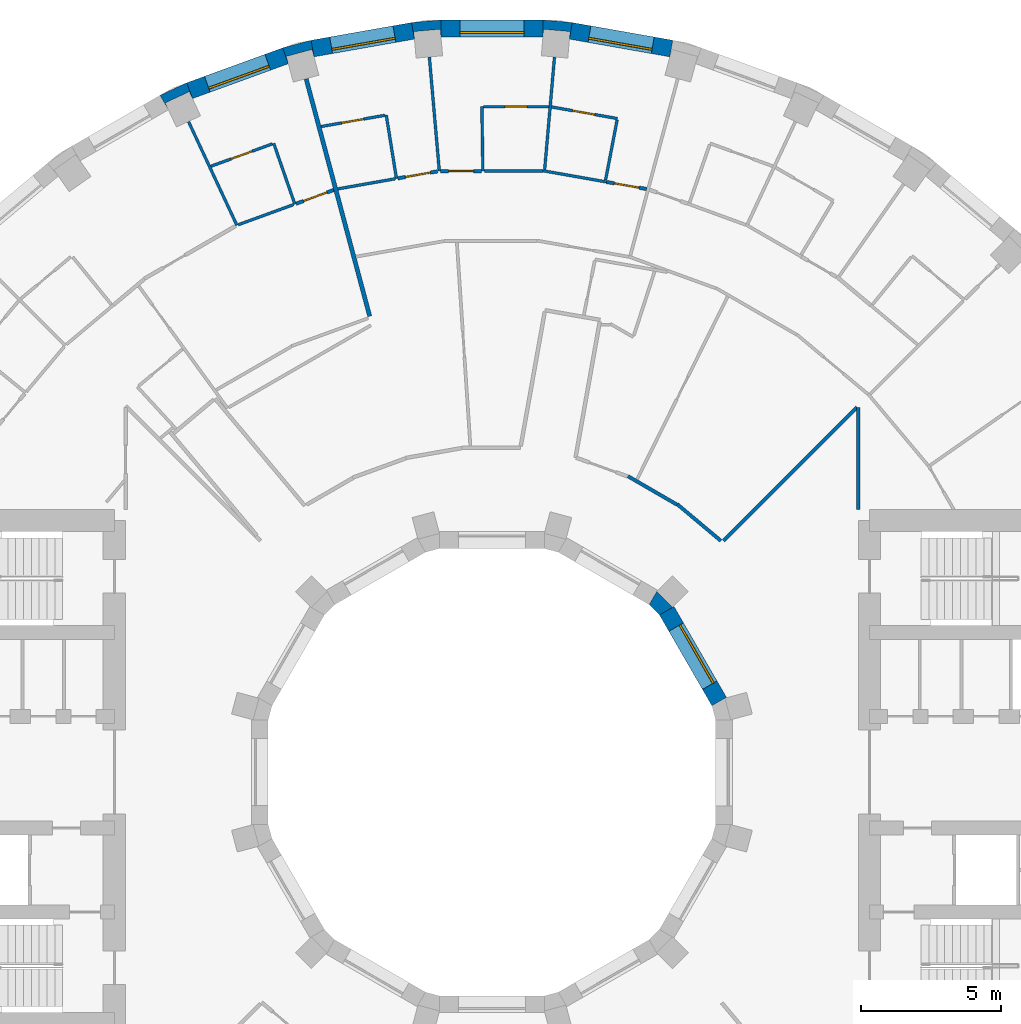
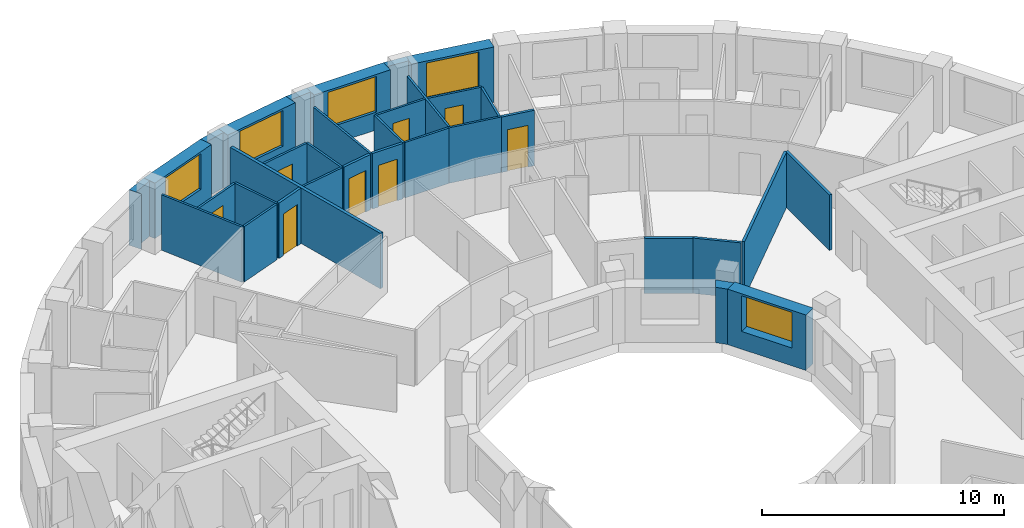
# One storey, part 13 of 16: 34 walls, 8 doors, 5 windows, 13 openings.
"""IFC4 building model written with IfcOpenShell, lengths in metres."""

from ifc_helpers import new_model, si_unit, direction, frame, frame_2d, origin, place, context, subcontext, project, spatial, polyline, rectangle, outline, extrude, material, layer, layer_set, type_object, element, fill, save


model = new_model("IFC4")

# Units and contexts
model_context = context("Model", 3, precision=1e-05, world=origin(), true_north=direction((0.0, 1.0)))
body_context = subcontext(model_context, "Body", "Model", "MODEL_VIEW")
ifc_project = project(units=[si_unit("LENGTHUNIT", "METRE"), si_unit("AREAUNIT", "SQUARE_METRE"), si_unit("VOLUMEUNIT", "CUBIC_METRE"), si_unit("PLANEANGLEUNIT", "RADIAN"), si_unit("MASSUNIT", "GRAM", prefix="KILO")], contexts=[model_context])

# Site, building, storey
site_placement = place(None, origin())
site = spatial("IfcSite", under=ifc_project, at=site_placement, CompositionType="ELEMENT")
building_placement = place(site_placement, origin())
building = spatial("IfcBuilding", under=site, at=building_placement, Name="Saqina Gate Tower", CompositionType="ELEMENT")
storey_placement = place(building_placement, frame((0.0, 0.0, 141.39990234375)))
storey = spatial("IfcBuildingStorey", under=building, at=storey_placement, Name="L40", CompositionType="ELEMENT", Elevation=141.39990234375)

# Walls
ifc_material_1 = material(Name="Brick masonry (buff)", Category="masonry")
wall_type_1 = type_object("IfcWallType", Name="BRICK PIER COPING BUFF", PredefinedType="SOLIDWALL", material=ifc_material_1)
wall_1_placement = place(storey_placement, origin())
element("IfcWall", 1, at=wall_1_placement, inside=storey, type_object=wall_type_1, Name="Pier cap L40 column 9", PredefinedType="SOLIDWALL", context=body_context, shape_type="SweptSolid", body=[
    extrude(outline(polyline([(2.87451171875, 26.805419921875), (1.823974609375, 26.897216796875), (1.823974609375, 26.29736328125), (1.847412109375, 26.565185546875), (2.793701171875, 26.482421875), (2.770263671875, 26.214599609375), (2.87451171875, 26.805419921875)])), origin(), (0.0, 0.0, 1.0), 2.800048828125),
])
wall_2_placement = place(storey_placement, origin())
element("IfcWall", 2, at=wall_2_placement, inside=storey, type_object=wall_type_1, Name="Pier cap L40 column 10", PredefinedType="SOLIDWALL", context=body_context, shape_type="SweptSolid", body=[
    extrude(outline(polyline([(-2.87451171875, 26.805419921875), (-2.770263671875, 26.214599609375), (-2.793701171875, 26.482421875), (-1.847412109375, 26.565185546875), (-1.823974609375, 26.29736328125), (-1.823974609375, 26.897216796875), (-2.87451171875, 26.805419921875)])), origin(), (0.0, 0.0, 1.0), 2.800048828125),
])
wall_3_placement = place(storey_placement, origin())
element("IfcWall", 3, at=wall_3_placement, inside=storey, type_object=wall_type_1, Name="Pier cap L40 column 11", PredefinedType="SOLIDWALL", context=body_context, shape_type="SweptSolid", body=[
    extrude(outline(polyline([(-6.466796875, 26.171875), (-7.485595703125, 25.89892578125), (-7.2802734375, 25.335205078125), (-7.349853515625, 25.5947265625), (-6.43212890625, 25.8408203125), (-6.36279296875, 25.5810546875), (-6.466796875, 26.171875)])), origin(), (0.0, 0.0, 1.0), 2.800048828125),
])
wall_4_placement = place(storey_placement, origin())
element("IfcWall", 4, at=wall_4_placement, inside=storey, type_object=wall_type_1, Name="Pier cap L40 column 12", PredefinedType="SOLIDWALL", context=body_context, shape_type="SweptSolid", body=[
    extrude(outline(polyline([(-10.913330078125, 24.6513671875), (-11.869140625, 24.205810546875), (-11.569091796875, 23.68603515625), (-11.6826171875, 23.9296875), (-10.82177734375, 24.331298828125), (-10.7080078125, 24.08740234375), (-10.913330078125, 24.6513671875)])), origin(), (0.0, 0.0, 1.0), 2.800048828125),
])

# Wall, opening, window
ifc_material_2 = material(Name="Brick masonry (buff)", Category="masonry")
ifc_layer_1 = layer(ifc_material_2, 0.60009765625)
ifc_layer_set_1 = layer_set([ifc_layer_1], Name="FW-BRICK-BUFF")
wall_type_2 = type_object("IfcWallType", Name="FW-BRICK-BUFF", PredefinedType="SOLIDWALL", material=ifc_layer_set_1)
wall_5_placement = place(storey_placement, frame((6.414794921875, 25.87646484375, 0.0), z_axis=(0.0, 0.0, 1.0), x_axis=(-0.984803764455, 0.173670796382, 0.0)))
wall_5 = element("IfcWall", 5, at=wall_5_placement, inside=storey, type_object=wall_type_2, Name="Facade wall L40 facet 8", PredefinedType="SOLIDWALL", context=body_context, shape_type="SweptSolid", body=[
    extrude(rectangle(XDim=3.64794921875, YDim=0.60009765625, at=frame_2d((1.823974609375, 0.0))), origin(), (0.0, 0.0, 1.0), 2.800048828125),
])
opening_1_placement = place(wall_5_placement, frame((0.673828125, 0.0, 0.89990234375)))
opening_1 = element("IfcOpeningElement", 6, at=opening_1_placement, cuts=wall_5, Name="Opening G12-W06", PredefinedType="OPENING", context=body_context, shape_type="SweptSolid", body=[
    extrude(rectangle(XDim=2.300048828125, YDim=1.800048828125, at=frame_2d((1.14990234375, 0.89990234375))), frame((0.0, 0.31201171875, 0.0), z_axis=(0.0, -1.0, 0.0), x_axis=(1.0, 0.0, 0.0)), (0.0, 0.0, 1.0), 0.6240234375),
])
ifc_material_3 = material(Name="Aluminium glazing", Category="aluminium")
window_type_1 = type_object("IfcWindowType", Name="WN-B", PartitioningType="SINGLE_PANEL", PredefinedType="WINDOW", material=ifc_material_3)
window_1_placement = place(opening_1_placement, origin())
window_1 = element("IfcWindow", 7, at=window_1_placement, inside=storey, type_object=window_type_1, Name="Window L40 facet 8", OverallHeight=1.800048828125, OverallWidth=2.300048828125, PartitioningType="SINGLE_PANEL", PredefinedType="WINDOW", context=body_context, shape_type="SweptSolid", body=[
    extrude(rectangle(XDim=2.300048828125, YDim=1.800048828125, at=frame_2d((1.14990234375, 0.89990234375))), frame((0.0, 0.179931640625, 0.0), z_axis=(0.0, -1.0, 0.0), x_axis=(1.0, 0.0, 0.0)), (0.0, 0.0, 1.0), 0.06005859375),
])
fill(opening_1, window_1)

wall_6_placement = place(storey_placement, frame((1.823974609375, 26.59716796875, 0.0), z_axis=(0.0, 0.0, 1.0), x_axis=(-1.0, 0.0, 0.0)))
wall_6 = element("IfcWall", 8, at=wall_6_placement, inside=storey, type_object=wall_type_2, Name="Facade wall L40 facet 9", PredefinedType="SOLIDWALL", context=body_context, shape_type="SweptSolid", body=[
    extrude(rectangle(XDim=3.64794921875, YDim=0.60009765625, at=frame_2d((1.823974609375, 0.0))), origin(), (0.0, 0.0, 1.0), 2.800048828125),
])
opening_2_placement = place(wall_6_placement, frame((0.673828125, 0.0, 0.89990234375)))
opening_2 = element("IfcOpeningElement", 9, at=opening_2_placement, cuts=wall_6, Name="Opening G12-W07", PredefinedType="OPENING", context=body_context, shape_type="SweptSolid", body=[
    extrude(rectangle(XDim=2.300048828125, YDim=1.800048828125, at=frame_2d((1.14990234375, 0.89990234375))), frame((0.0, 0.31201171875, 0.0), z_axis=(0.0, -1.0, 0.0), x_axis=(1.0, 0.0, 0.0)), (0.0, 0.0, 1.0), 0.6240234375),
])
window_2_placement = place(opening_2_placement, origin())
window_2 = element("IfcWindow", 10, at=window_2_placement, inside=storey, type_object=window_type_1, Name="Window L40 facet 9", OverallHeight=1.800048828125, OverallWidth=2.300048828125, PartitioningType="SINGLE_PANEL", PredefinedType="WINDOW", context=body_context, shape_type="SweptSolid", body=[
    extrude(rectangle(XDim=2.300048828125, YDim=1.800048828125, at=frame_2d((1.14990234375, 0.89990234375))), frame((0.0, 0.179931640625, 0.0), z_axis=(0.0, -1.0, 0.0), x_axis=(1.0, 0.0, 0.0)), (0.0, 0.0, 1.0), 0.06005859375),
])
fill(opening_2, window_2)

wall_7_placement = place(storey_placement, frame((-2.822265625, 26.510009765625, 0.0), z_axis=(0.0, 0.0, 1.0), x_axis=(-0.984803764455, -0.173670796382, 0.0)))
wall_7 = element("IfcWall", 11, at=wall_7_placement, inside=storey, type_object=wall_type_2, Name="Facade wall L40 facet 10", PredefinedType="SOLIDWALL", context=body_context, shape_type="SweptSolid", body=[
    extrude(rectangle(XDim=3.64794921875, YDim=0.60009765625, at=frame_2d((1.823974609375, 0.0))), origin(), (0.0, 0.0, 1.0), 2.800048828125),
])
opening_3_placement = place(wall_7_placement, frame((0.673828125, 0.0, 0.89990234375)))
opening_3 = element("IfcOpeningElement", 12, at=opening_3_placement, cuts=wall_7, Name="Opening G12-W08", PredefinedType="OPENING", context=body_context, shape_type="SweptSolid", body=[
    extrude(rectangle(XDim=2.300048828125, YDim=1.800048828125, at=frame_2d((1.14990234375, 0.89990234375))), frame((0.0, 0.31201171875, 0.0), z_axis=(0.0, -1.0, 0.0), x_axis=(1.0, 0.0, 0.0)), (0.0, 0.0, 1.0), 0.6240234375),
])
window_3_placement = place(opening_3_placement, origin())
window_3 = element("IfcWindow", 13, at=window_3_placement, inside=storey, type_object=window_type_1, Name="Window L40 facet 10", OverallHeight=1.800048828125, OverallWidth=2.300048828125, PartitioningType="SINGLE_PANEL", PredefinedType="WINDOW", context=body_context, shape_type="SweptSolid", body=[
    extrude(rectangle(XDim=2.300048828125, YDim=1.800048828125, at=frame_2d((1.14990234375, 0.89990234375))), frame((0.0, 0.179931640625, 0.0), z_axis=(0.0, -1.0, 0.0), x_axis=(1.0, 0.0, 0.0)), (0.0, 0.0, 1.0), 0.06005859375),
])
fill(opening_3, window_3)

wall_8_placement = place(storey_placement, frame((-7.3828125, 25.616943359375, 0.0), z_axis=(0.0, 0.0, 1.0), x_axis=(-0.939703505393, -0.341990236633, 0.0)))
wall_8 = element("IfcWall", 14, at=wall_8_placement, inside=storey, type_object=wall_type_2, Name="Facade wall L40 facet 11", PredefinedType="SOLIDWALL", context=body_context, shape_type="SweptSolid", body=[
    extrude(rectangle(XDim=3.64794921875, YDim=0.60009765625, at=frame_2d((1.823974609375, 0.0))), origin(), (0.0, 0.0, 1.0), 2.800048828125),
])
opening_4_placement = place(wall_8_placement, frame((0.673828125, 0.0, 0.89990234375)))
opening_4 = element("IfcOpeningElement", 15, at=opening_4_placement, cuts=wall_8, Name="Opening G12-W09", PredefinedType="OPENING", context=body_context, shape_type="SweptSolid", body=[
    extrude(rectangle(XDim=2.300048828125, YDim=1.800048828125, at=frame_2d((1.14990234375, 0.89990234375))), frame((0.0, 0.31201171875, 0.0), z_axis=(0.0, -1.0, 0.0), x_axis=(1.0, 0.0, 0.0)), (0.0, 0.0, 1.0), 0.6240234375),
])
window_4_placement = place(opening_4_placement, origin())
window_4 = element("IfcWindow", 16, at=window_4_placement, inside=storey, type_object=window_type_1, Name="Window L40 facet 11", OverallHeight=1.800048828125, OverallWidth=2.300048828125, PartitioningType="SINGLE_PANEL", PredefinedType="WINDOW", context=body_context, shape_type="SweptSolid", body=[
    extrude(rectangle(XDim=2.300048828125, YDim=1.800048828125, at=frame_2d((1.14990234375, 0.89990234375))), frame((0.0, 0.179931640625, 0.0), z_axis=(0.0, -1.0, 0.0), x_axis=(1.0, 0.0, 0.0)), (0.0, 0.0, 1.0), 0.06005859375),
])
fill(opening_4, window_4)

ifc_material_4 = material(Name="Glazed ceramic tile", Category="ceramic")
ifc_layer_2 = layer(ifc_material_4, 0.60009765625)
ifc_layer_set_2 = layer_set([ifc_layer_2], Name="IW-TILE")
wall_type_3 = type_object("IfcWallType", Name="IW-TILE", PredefinedType="SOLIDWALL", material=ifc_layer_set_2)
wall_9_placement = place(storey_placement, frame((8.124755859375, 2.52734375, 0.0), z_axis=(0.0, 0.0, 1.0), x_axis=(-0.499964958637, 0.86604563398, 0.0)))
wall_9 = element("IfcWall", 17, at=wall_9_placement, inside=storey, type_object=wall_type_3, Name="Well wall L40 facet 1", PredefinedType="SOLIDWALL", context=body_context, shape_type="SweptSolid", body=[
    extrude(rectangle(XDim=3.747314453125, YDim=0.60009765625, at=frame_2d((1.87353515625, 0.0))), origin(), (0.0, 0.0, 1.0), 2.800048828125),
])
opening_5_placement = place(wall_9_placement, frame((0.673583984375, 0.0, 0.89990234375)))
opening_5 = element("IfcOpeningElement", 18, at=opening_5_placement, cuts=wall_9, Name="Opening G12-W23", PredefinedType="OPENING", context=body_context, shape_type="SweptSolid", body=[
    extrude(rectangle(XDim=2.39990234375, YDim=1.800048828125, at=frame_2d((1.199951171875, 0.89990234375))), frame((0.0, 0.31201171875, 0.0), z_axis=(0.0, -1.0, 0.0), x_axis=(1.0, 0.0, 0.0)), (0.0, 0.0, 1.0), 0.6240234375),
])
ifc_material_5 = material(Name="Aluminium glazing", Category="aluminium")
window_type_2 = type_object("IfcWindowType", Name="WN-W", PartitioningType="SINGLE_PANEL", PredefinedType="WINDOW", material=ifc_material_5)
window_5_placement = place(opening_5_placement, origin())
window_5 = element("IfcWindow", 19, at=window_5_placement, inside=storey, type_object=window_type_2, Name="Well window L40 facet 1", OverallHeight=1.800048828125, OverallWidth=2.39990234375, PartitioningType="SINGLE_PANEL", PredefinedType="WINDOW", context=body_context, shape_type="SweptSolid", body=[
    extrude(rectangle(XDim=2.39990234375, YDim=1.800048828125, at=frame_2d((1.199951171875, 0.89990234375))), frame((0.0, -0.119873046875, 0.0), z_axis=(0.0, -1.0, 0.0), x_axis=(1.0, 0.0, 0.0)), (0.0, 0.0, 1.0), 0.06005859375),
])
fill(opening_5, window_5)

# Walls
ifc_material_6 = material(Name="Gypsum board on steel studs, 100 mm", Category="steel")
ifc_layer_3 = layer(ifc_material_6, 0.10009765625)
ifc_layer_set_3 = layer_set([ifc_layer_3], Name="PARTITION 100")
wall_type_4 = type_object("IfcWallType", Name="PARTITION 100", PredefinedType="PARTITIONING", material=ifc_layer_set_3)
wall_10_placement = place(storey_placement, frame((-0.35888671875, 23.797119140625, 0.0), z_axis=(0.0, 0.0, 1.0), x_axis=(0.015177107463, -0.999884821071, 0.0)))
element("IfcWall", 20, at=wall_10_placement, inside=storey, type_object=wall_type_4, Name="PARTITION PW3-01", PredefinedType="PARTITIONING", context=body_context, shape_type="SweptSolid", body=[
    extrude(rectangle(XDim=2.30029296875, YDim=0.10009765625, at=frame_2d((1.150146484375, 0.0))), origin(), (0.0, 0.0, 1.0), 2.800048828125),
])
wall_11_placement = place(storey_placement, frame((-2.237060546875, 25.5673828125, 0.0), z_axis=(0.0, 0.0, 1.0), x_axis=(0.087119511186, -0.996197867279, 0.0)))
element("IfcWall", 21, at=wall_11_placement, inside=storey, type_object=wall_type_4, Name="PARTITION PW3-03", PredefinedType="PARTITIONING", context=body_context, shape_type="SweptSolid", body=[
    extrude(rectangle(XDim=4.0859375, YDim=0.10009765625, at=frame_2d((2.04296875, 0.0))), origin(), (0.0, 0.0, 1.0), 2.800048828125),
])
for number, where, z_axis, x_axis, name in (
    (22, (-3.779052734375, 23.498046875, 0.0), (0.0, 0.0, 1.0), (0.15868179071, -0.987329777378, 0.0), "PARTITION PW3-04"),
    (23, (-7.802001953125, 22.485107421875, 0.0), (0.0, 0.0, 1.0), (0.327763034971, -0.944759965762, 0.0), "PARTITION PW3-05"),
):
    element("IfcWall", number, at=place(storey_placement, frame(where, z_axis=z_axis, x_axis=x_axis)), inside=storey, type_object=wall_type_4, Name=name, PredefinedType="PARTITIONING", context=body_context, shape_type="SweptSolid", body=[
        extrude(rectangle(XDim=2.300048828125, YDim=0.10009765625, at=frame_2d((1.14990234375, 0.0))), origin(), (0.0, 0.0, 1.0), 2.800048828125),
    ])
wall_12_placement = place(storey_placement, frame((-10.84716796875, 23.260009765625, 0.0), z_axis=(0.0, 0.0, 1.0), x_axis=(0.422784035137, -0.906230467173, 0.0)))
element("IfcWall", 24, at=wall_12_placement, inside=storey, type_object=wall_type_4, Name="PARTITION PW3-08", PredefinedType="PARTITIONING", context=body_context, shape_type="SweptSolid", body=[
    extrude(rectangle(XDim=4.0849609375, YDim=0.10009765625, at=frame_2d((2.04248046875, 0.0))), origin(), (0.0, 0.0, 1.0), 2.800048828125),
])
wall_13_placement = place(storey_placement, frame((1.8310546875, 21.505859375, 0.0), z_axis=(0.0, 0.0, 1.0), x_axis=(0.984783558818, -0.173785333909, 0.0)))
element("IfcWall", 25, at=wall_13_placement, inside=storey, type_object=wall_type_4, Name="PARTITION PW3-58", PredefinedType="PARTITIONING", context=body_context, shape_type="SweptSolid", body=[
    extrude(rectangle(XDim=2.305419921875, YDim=0.10009765625, at=frame_2d((1.15283203125, 0.0))), origin(), (0.0, 0.0, 1.0), 2.800048828125),
])

# Wall, opening, door
wall_14_placement = place(storey_placement, frame((2.13134765625, 23.788330078125, 0.0), z_axis=(0.0, 0.0, 1.0), x_axis=(0.984802055472, -0.173680486922, 0.0)))
wall_14 = element("IfcWall", 26, at=wall_14_placement, inside=storey, type_object=wall_type_4, Name="PARTITION PW3-59", PredefinedType="PARTITIONING", context=body_context, shape_type="SweptSolid", body=[
    extrude(rectangle(XDim=2.39111328125, YDim=0.10009765625, at=frame_2d((1.195556640625, 0.0))), origin(), (0.0, 0.0, 1.0), 2.800048828125),
])
opening_6_placement = place(wall_14_placement, frame((0.7705078125, 0.0, 0.0)))
opening_6 = element("IfcOpeningElement", 27, at=opening_6_placement, cuts=wall_14, Name="Opening G12-D15", PredefinedType="OPENING", context=body_context, shape_type="SweptSolid", body=[
    extrude(rectangle(XDim=0.800048828125, YDim=2.10009765625, at=frame_2d((0.39990234375, 1.050048828125))), frame((0.0, 0.06201171875, 0.0), z_axis=(0.0, -1.0, 0.0), x_axis=(1.0, 0.0, 0.0)), (0.0, 0.0, 1.0), 0.1240234375),
])
ifc_material_7 = material(Name="Timber door leaf, 800 mm", Category="wood")
door_type_1 = type_object("IfcDoorType", Name="DOOR 800 TIMBER", OperationType="SINGLE_SWING_LEFT", PredefinedType="DOOR", material=ifc_material_7)
door_1_placement = place(opening_6_placement, origin())
door_1 = element("IfcDoor", 28, at=door_1_placement, inside=storey, type_object=door_type_1, Name="DOOR G12-D15", OperationType="SINGLE_SWING_LEFT", OverallHeight=2.10009765625, OverallWidth=0.800048828125, PredefinedType="DOOR", context=body_context, shape_type="SweptSolid", body=[
    extrude(rectangle(XDim=0.800048828125, YDim=2.10009765625, at=frame_2d((0.39990234375, 1.050048828125))), frame((0.0, 0.02490234375, 0.0), z_axis=(0.0, -1.0, 0.0), x_axis=(1.0, 0.0, 0.0)), (0.0, 0.0, 1.0), 0.050048828125),
])
fill(opening_6, door_1)

# Wall
wall_15_placement = place(storey_placement, frame((-0.27392578125, 21.4970703125, 0.0), z_axis=(0.0, 0.0, 1.0), x_axis=(1.0, 0.0, 0.0)))
element("IfcWall", 29, at=wall_15_placement, inside=storey, type_object=wall_type_4, Name="PARTITION PW3-62", PredefinedType="PARTITIONING", context=body_context, shape_type="SweptSolid", body=[
    extrude(rectangle(XDim=2.10498046875, YDim=0.10009765625, at=frame_2d((1.052490234375, 0.0))), origin(), (0.0, 0.0, 1.0), 2.800048828125),
])

# Wall, opening, door
wall_16_placement = place(storey_placement, frame((-0.30908203125, 23.797119140625, 0.0), z_axis=(0.0, 0.0, 1.0), x_axis=(1.0, 0.0, 0.0)))
wall_16 = element("IfcWall", 30, at=wall_16_placement, inside=storey, type_object=wall_type_4, Name="PARTITION PW3-63", PredefinedType="PARTITIONING", context=body_context, shape_type="SweptSolid", body=[
    extrude(rectangle(XDim=2.341064453125, YDim=0.10009765625, at=frame_2d((1.17041015625, 0.0))), origin(), (0.0, 0.0, 1.0), 2.800048828125),
])
opening_7_placement = place(wall_16_placement, frame((0.7705078125, 0.0, 0.0)))
opening_7 = element("IfcOpeningElement", 31, at=opening_7_placement, cuts=wall_16, Name="Opening G12-D16", PredefinedType="OPENING", context=body_context, shape_type="SweptSolid", body=[
    extrude(rectangle(XDim=0.800048828125, YDim=2.10009765625, at=frame_2d((0.39990234375, 1.050048828125))), frame((0.0, 0.06201171875, 0.0), z_axis=(0.0, -1.0, 0.0), x_axis=(1.0, 0.0, 0.0)), (0.0, 0.0, 1.0), 0.1240234375),
])
door_2_placement = place(opening_7_placement, origin())
door_2 = element("IfcDoor", 32, at=door_2_placement, inside=storey, type_object=door_type_1, Name="DOOR G12-D16", OperationType="SINGLE_SWING_LEFT", OverallHeight=2.10009765625, OverallWidth=0.800048828125, PredefinedType="DOOR", context=body_context, shape_type="SweptSolid", body=[
    extrude(rectangle(XDim=0.800048828125, YDim=2.10009765625, at=frame_2d((0.39990234375, 1.050048828125))), frame((0.0, 0.02490234375, 0.0), z_axis=(0.0, -1.0, 0.0), x_axis=(1.0, 0.0, 0.0)), (0.0, 0.0, 1.0), 0.050048828125),
])
fill(opening_7, door_2)

# Wall
wall_17_placement = place(storey_placement, frame((-5.51123046875, 20.85693359375, 0.0), z_axis=(0.0, 0.0, 1.0), x_axis=(0.984775352835, 0.173831828066, 0.0)))
element("IfcWall", 33, at=wall_17_placement, inside=storey, type_object=wall_type_4, Name="PARTITION PW3-65", PredefinedType="PARTITIONING", context=body_context, shape_type="SweptSolid", body=[
    extrude(rectangle(XDim=2.096923828125, YDim=0.10009765625, at=frame_2d((1.04833984375, 0.0))), origin(), (0.0, 0.0, 1.0), 2.800048828125),
])

# Wall, opening, door
wall_18_placement = place(storey_placement, frame((-6.109130859375, 23.0869140625, 0.0), z_axis=(0.0, 0.0, 1.0), x_axis=(0.984797350308, 0.173707164006, 0.0)))
wall_18 = element("IfcWall", 34, at=wall_18_placement, inside=storey, type_object=wall_type_4, Name="PARTITION PW3-66", PredefinedType="PARTITIONING", context=body_context, shape_type="SweptSolid", body=[
    extrude(rectangle(XDim=2.316162109375, YDim=0.10009765625, at=frame_2d((1.158203125, 0.0))), origin(), (0.0, 0.0, 1.0), 2.800048828125),
])
opening_8_placement = place(wall_18_placement, frame((0.74560546875, 0.0, 0.0)))
opening_8 = element("IfcOpeningElement", 35, at=opening_8_placement, cuts=wall_18, Name="Opening G12-D20", PredefinedType="OPENING", context=body_context, shape_type="SweptSolid", body=[
    extrude(rectangle(XDim=0.800048828125, YDim=2.10009765625, at=frame_2d((0.39990234375, 1.050048828125))), frame((0.0, 0.06201171875, 0.0), z_axis=(0.0, -1.0, 0.0), x_axis=(1.0, 0.0, 0.0)), (0.0, 0.0, 1.0), 0.1240234375),
])
door_3_placement = place(opening_8_placement, origin())
door_3 = element("IfcDoor", 36, at=door_3_placement, inside=storey, type_object=door_type_1, Name="DOOR G12-D20", OperationType="SINGLE_SWING_LEFT", OverallHeight=2.10009765625, OverallWidth=0.800048828125, PredefinedType="DOOR", context=body_context, shape_type="SweptSolid", body=[
    extrude(rectangle(XDim=0.800048828125, YDim=2.10009765625, at=frame_2d((0.39990234375, 1.050048828125))), frame((0.0, 0.02490234375, 0.0), z_axis=(0.0, -1.0, 0.0), x_axis=(1.0, 0.0, 0.0)), (0.0, 0.0, 1.0), 0.050048828125),
])
fill(opening_8, door_3)

# Wall
wall_19_placement = place(storey_placement, frame((-9.072998046875, 19.5751953125, 0.0), z_axis=(0.0, 0.0, 1.0), x_axis=(0.939725675468, 0.341929312674, 0.0)))
element("IfcWall", 37, at=wall_19_placement, inside=storey, type_object=wall_type_4, Name="PARTITION PW3-70", PredefinedType="PARTITIONING", context=body_context, shape_type="SweptSolid", body=[
    extrude(rectangle(XDim=2.10498046875, YDim=0.10009765625, at=frame_2d((1.052490234375, 0.0))), origin(), (0.0, 0.0, 1.0), 2.800048828125),
])

# Wall, opening, door
wall_20_placement = place(storey_placement, frame((-10.049072265625, 21.6669921875, 0.0), z_axis=(0.0, 0.0, 1.0), x_axis=(0.939662448837, 0.342103028699, 0.0)))
wall_20 = element("IfcWall", 38, at=wall_20_placement, inside=storey, type_object=wall_type_4, Name="PARTITION PW3-71", PredefinedType="PARTITIONING", context=body_context, shape_type="SweptSolid", body=[
    extrude(rectangle(XDim=2.341552734375, YDim=0.10009765625, at=frame_2d((1.1708984375, 0.0))), origin(), (0.0, 0.0, 1.0), 2.800048828125),
])
opening_9_placement = place(wall_20_placement, frame((0.7705078125, 0.0, 0.0)))
opening_9 = element("IfcOpeningElement", 39, at=opening_9_placement, cuts=wall_20, Name="Opening G12-D22", PredefinedType="OPENING", context=body_context, shape_type="SweptSolid", body=[
    extrude(rectangle(XDim=0.800048828125, YDim=2.10009765625, at=frame_2d((0.39990234375, 1.050048828125))), frame((0.0, 0.06201171875, 0.0), z_axis=(0.0, -1.0, 0.0), x_axis=(1.0, 0.0, 0.0)), (0.0, 0.0, 1.0), 0.1240234375),
])
door_4_placement = place(opening_9_placement, origin())
door_4 = element("IfcDoor", 40, at=door_4_placement, inside=storey, type_object=door_type_1, Name="DOOR G12-D22", OperationType="SINGLE_SWING_LEFT", OverallHeight=2.10009765625, OverallWidth=0.800048828125, PredefinedType="DOOR", context=body_context, shape_type="SweptSolid", body=[
    extrude(rectangle(XDim=0.800048828125, YDim=2.10009765625, at=frame_2d((0.39990234375, 1.050048828125))), frame((0.0, 0.02490234375, 0.0), z_axis=(0.0, -1.0, 0.0), x_axis=(1.0, 0.0, 0.0)), (0.0, 0.0, 1.0), 0.050048828125),
])
fill(opening_9, door_4)

# Walls
wall_21_placement = place(storey_placement, frame((4.063720703125, 21.17529296875, 0.0), z_axis=(0.0, 0.0, 1.0), x_axis=(0.188685986474, 0.982037473067, 0.0)))
element("IfcWall", 41, at=wall_21_placement, inside=storey, type_object=wall_type_4, Name="PARTITION PW3-116", PredefinedType="PARTITIONING", context=body_context, shape_type="SweptSolid", body=[
    extrude(rectangle(XDim=2.18798828125, YDim=0.10009765625, at=frame_2d((1.093994140625, 0.0))), origin(), (0.0, 0.0, 1.0), 2.800048828125),
])
wall_22_placement = place(storey_placement, frame((1.88525390625, 21.546875, 0.0), z_axis=(0.0, 0.0, 1.0), x_axis=(0.087109918438, 0.996198706137, 0.0)))
element("IfcWall", 42, at=wall_22_placement, inside=storey, type_object=wall_type_4, Name="PARTITION PW3-117", PredefinedType="PARTITIONING", context=body_context, shape_type="SweptSolid", body=[
    extrude(rectangle(XDim=4.035888671875, YDim=0.10009765625, at=frame_2d((2.01806640625, 0.0))), origin(), (0.0, 0.0, 1.0), 2.800048828125),
])
ifc_material_8 = material(Name="Gypsum board on steel studs, 125 mm, fire rated", Category="steel")
ifc_layer_4 = layer(ifc_material_8, 0.125)
ifc_layer_set_4 = layer_set([ifc_layer_4], Name="PARTITION EI 30 125")
wall_type_5 = type_object("IfcWallType", Name="PARTITION EI 30 125", PredefinedType="PARTITIONING", material=ifc_layer_set_4)
wall_23_placement = place(storey_placement, frame((6.63037109375, 9.578857421875, 0.0), z_axis=(0.0, 0.0, 1.0), x_axis=(0.766246910896, -0.642546240781, 0.0)))
element("IfcWall", 43, at=wall_23_placement, inside=storey, type_object=wall_type_5, Name="PARTITION PW1-13", PredefinedType="PARTITIONING", context=body_context, shape_type="SweptSolid", body=[
    extrude(rectangle(XDim=2.03076171875, YDim=0.125, at=frame_2d((1.015380859375, 0.0))), origin(), (0.0, 0.0, 1.0), 2.800048828125),
])
wall_24_placement = place(storey_placement, frame((4.865234375, 10.582763671875, 0.0), z_axis=(0.0, 0.0, 1.0), x_axis=(0.865305530051, -0.50124479016, 0.0)))
element("IfcWall", 44, at=wall_24_placement, inside=storey, type_object=wall_type_5, Name="PARTITION PW1-16", PredefinedType="PARTITIONING", context=body_context, shape_type="SweptSolid", body=[
    extrude(rectangle(XDim=2.030517578125, YDim=0.125, at=frame_2d((1.01513671875, 0.0))), origin(), (0.0, 0.0, 1.0), 2.800048828125),
])

# Wall, opening, door
wall_25_placement = place(storey_placement, frame((4.101318359375, 21.105224609375, 0.0), z_axis=(0.0, 0.0, 1.0), x_axis=(0.984862774054, -0.173335848233, 0.0)))
wall_25 = element("IfcWall", 45, at=wall_25_placement, inside=storey, type_object=wall_type_5, Name="PARTITION PW1-27", PredefinedType="PARTITIONING", context=body_context, shape_type="SweptSolid", body=[
    extrude(rectangle(XDim=1.456298828125, YDim=0.125, at=frame_2d((0.72802734375, 0.0))), origin(), (0.0, 0.0, 1.0), 2.800048828125),
])
opening_10_placement = place(wall_25_placement, frame((0.2783203125, 0.0, 0.0)))
opening_10 = element("IfcOpeningElement", 46, at=opening_10_placement, cuts=wall_25, Name="Opening G12-D12", PredefinedType="OPENING", context=body_context, shape_type="SweptSolid", body=[
    extrude(rectangle(XDim=0.89990234375, YDim=2.10009765625, at=frame_2d((0.449951171875, 1.050048828125))), frame((0.0, 0.074462890625, 0.0), z_axis=(0.0, -1.0, 0.0), x_axis=(1.0, 0.0, 0.0)), (0.0, 0.0, 1.0), 0.14892578125),
])
ifc_material_9 = material(Name="Fire door leaf EI 30, 900 mm")
door_type_2 = type_object("IfcDoorType", Name="DOOR 900 EI 30", OperationType="SINGLE_SWING_LEFT", PredefinedType="DOOR", material=ifc_material_9)
door_5_placement = place(opening_10_placement, frame((0.89990234375, 0.0, 0.0), z_axis=(0.0, 0.0, 1.0), x_axis=(-1.0, 0.0, 0.0)))
door_5 = element("IfcDoor", 47, at=door_5_placement, inside=storey, type_object=door_type_2, Name="DOOR G12-D12", OperationType="SINGLE_SWING_LEFT", OverallHeight=2.10009765625, OverallWidth=0.89990234375, PredefinedType="DOOR", context=body_context, shape_type="SweptSolid", body=[
    extrude(rectangle(XDim=0.89990234375, YDim=2.10009765625, at=frame_2d((0.449951171875, 1.050048828125))), frame((0.0, 0.02490234375, 0.0), z_axis=(0.0, -1.0, 0.0), x_axis=(1.0, 0.0, 0.0)), (0.0, 0.0, 1.0), 0.050048828125),
])
fill(opening_10, door_5)

wall_26_placement = place(storey_placement, frame((-1.8310546875, 21.4970703125, 0.0), z_axis=(0.0, 0.0, 1.0), x_axis=(1.0, 0.0, 0.0)))
wall_26 = element("IfcWall", 48, at=wall_26_placement, inside=storey, type_object=wall_type_5, Name="PARTITION PW1-30", PredefinedType="PARTITIONING", context=body_context, shape_type="SweptSolid", body=[
    extrude(rectangle(XDim=1.45703125, YDim=0.125, at=frame_2d((0.728515625, 0.0))), origin(), (0.0, 0.0, 1.0), 2.800048828125),
])
opening_11_placement = place(wall_26_placement, frame((0.278564453125, 0.0, 0.0)))
opening_11 = element("IfcOpeningElement", 49, at=opening_11_placement, cuts=wall_26, Name="Opening G12-D17", PredefinedType="OPENING", context=body_context, shape_type="SweptSolid", body=[
    extrude(rectangle(XDim=0.89990234375, YDim=2.10009765625, at=frame_2d((0.449951171875, 1.050048828125))), frame((0.0, 0.074462890625, 0.0), z_axis=(0.0, -1.0, 0.0), x_axis=(1.0, 0.0, 0.0)), (0.0, 0.0, 1.0), 0.14892578125),
])
door_6_placement = place(opening_11_placement, frame((0.89990234375, 0.0, 0.0), z_axis=(0.0, 0.0, 1.0), x_axis=(-1.0, 0.0, 0.0)))
door_6 = element("IfcDoor", 50, at=door_6_placement, inside=storey, type_object=door_type_2, Name="DOOR G12-D17", OperationType="SINGLE_SWING_RIGHT", OverallHeight=2.10009765625, OverallWidth=0.89990234375, PredefinedType="DOOR", context=body_context, shape_type="SweptSolid", body=[
    extrude(rectangle(XDim=0.89990234375, YDim=2.10009765625, at=frame_2d((0.449951171875, 1.050048828125))), frame((0.0, 0.02490234375, 0.0), z_axis=(0.0, -1.0, 0.0), x_axis=(1.0, 0.0, 0.0)), (0.0, 0.0, 1.0), 0.050048828125),
])
fill(opening_11, door_6)

wall_27_placement = place(storey_placement, frame((-3.36474609375, 21.235595703125, 0.0), z_axis=(0.0, 0.0, 1.0), x_axis=(0.984839675328, 0.173467039809, 0.0)))
wall_27 = element("IfcWall", 51, at=wall_27_placement, inside=storey, type_object=wall_type_5, Name="PARTITION PW1-33", PredefinedType="PARTITIONING", context=body_context, shape_type="SweptSolid", body=[
    extrude(rectangle(XDim=1.444091796875, YDim=0.125, at=frame_2d((0.72216796875, 0.0))), origin(), (0.0, 0.0, 1.0), 2.800048828125),
])
opening_12_placement = place(wall_27_placement, frame((0.2783203125, 0.0, 0.0)))
opening_12 = element("IfcOpeningElement", 52, at=opening_12_placement, cuts=wall_27, Name="Opening G12-D19", PredefinedType="OPENING", context=body_context, shape_type="SweptSolid", body=[
    extrude(rectangle(XDim=0.89990234375, YDim=2.10009765625, at=frame_2d((0.449951171875, 1.050048828125))), frame((0.0, 0.074462890625, 0.0), z_axis=(0.0, -1.0, 0.0), x_axis=(1.0, 0.0, 0.0)), (0.0, 0.0, 1.0), 0.14892578125),
])
door_7_placement = place(opening_12_placement, frame((0.89990234375, 0.0, 0.0), z_axis=(0.0, 0.0, 1.0), x_axis=(-1.0, 0.0, 0.0)))
door_7 = element("IfcDoor", 53, at=door_7_placement, inside=storey, type_object=door_type_2, Name="DOOR G12-D19", OperationType="SINGLE_SWING_LEFT", OverallHeight=2.10009765625, OverallWidth=0.89990234375, PredefinedType="DOOR", context=body_context, shape_type="SweptSolid", body=[
    extrude(rectangle(XDim=0.89990234375, YDim=2.10009765625, at=frame_2d((0.449951171875, 1.050048828125))), frame((0.0, 0.02490234375, 0.0), z_axis=(0.0, -1.0, 0.0), x_axis=(1.0, 0.0, 0.0)), (0.0, 0.0, 1.0), 0.050048828125),
])
fill(opening_12, door_7)

wall_28_placement = place(storey_placement, frame((-7.0009765625, 20.3291015625, 0.0), z_axis=(0.0, 0.0, 1.0), x_axis=(0.939788441711, 0.341756762663, 0.0)))
wall_28 = element("IfcWall", 54, at=wall_28_placement, inside=storey, type_object=wall_type_5, Name="PARTITION PW1-37", PredefinedType="PARTITIONING", context=body_context, shape_type="SweptSolid", body=[
    extrude(rectangle(XDim=1.430908203125, YDim=0.125, at=frame_2d((0.71533203125, 0.0))), origin(), (0.0, 0.0, 1.0), 2.800048828125),
])
opening_13_placement = place(wall_28_placement, frame((0.27783203125, 0.0, 0.0)))
opening_13 = element("IfcOpeningElement", 55, at=opening_13_placement, cuts=wall_28, Name="Opening G12-D21", PredefinedType="OPENING", context=body_context, shape_type="SweptSolid", body=[
    extrude(rectangle(XDim=0.89990234375, YDim=2.10009765625, at=frame_2d((0.449951171875, 1.050048828125))), frame((0.0, 0.074462890625, 0.0), z_axis=(0.0, -1.0, 0.0), x_axis=(1.0, 0.0, 0.0)), (0.0, 0.0, 1.0), 0.14892578125),
])
door_8_placement = place(opening_13_placement, frame((0.89990234375, 0.0, 0.0), z_axis=(0.0, 0.0, 1.0), x_axis=(-1.0, 0.0, 0.0)))
door_8 = element("IfcDoor", 56, at=door_8_placement, inside=storey, type_object=door_type_2, Name="DOOR G12-D21", OperationType="SINGLE_SWING_LEFT", OverallHeight=2.10009765625, OverallWidth=0.89990234375, PredefinedType="DOOR", context=body_context, shape_type="SweptSolid", body=[
    extrude(rectangle(XDim=0.89990234375, YDim=2.10009765625, at=frame_2d((0.449951171875, 1.050048828125))), frame((0.0, 0.02490234375, 0.0), z_axis=(0.0, -1.0, 0.0), x_axis=(1.0, 0.0, 0.0)), (0.0, 0.0, 1.0), 0.050048828125),
])
fill(opening_13, door_8)

# Walls
wall_29_placement = place(storey_placement, frame((8.278076171875, 8.278076171875, 0.0), z_axis=(0.0, 0.0, 1.0), x_axis=(0.707106781187, 0.707106781187, 0.0)))
element("IfcWall", 57, at=wall_29_placement, inside=storey, type_object=wall_type_5, Name="PARTITION PW1-49", PredefinedType="PARTITIONING", context=body_context, shape_type="SweptSolid", body=[
    extrude(rectangle(XDim=6.74951171875, YDim=0.125, at=frame_2d((3.374755859375, 0.0))), origin(), (0.0, 0.0, 1.0), 2.800048828125),
])
wall_30_placement = place(storey_placement, frame((13.10009765625, 9.39794921875, 0.0), z_axis=(0.0, 0.0, 1.0), x_axis=(0.0, 1.0, 0.0)))
element("IfcWall", 58, at=wall_30_placement, inside=storey, type_object=wall_type_5, Name="PARTITION PW1-60", PredefinedType="PARTITIONING", context=body_context, shape_type="SweptSolid", body=[
    extrude(rectangle(XDim=3.638671875, YDim=0.125, at=frame_2d((1.8193359375, 0.0))), origin(), (0.0, 0.0, 1.0), 2.800048828125),
])
ifc_material_10 = material(Name="Gypsum board on steel studs, 150 mm, fire rated", Category="steel")
ifc_layer_5 = layer(ifc_material_10, 0.14990234375)
ifc_layer_set_5 = layer_set([ifc_layer_5], Name="PARTITION EI 60 150")
wall_type_6 = type_object("IfcWallType", Name="PARTITION EI 60 150", PredefinedType="PARTITIONING", material=ifc_layer_set_5)
wall_31_placement = place(storey_placement, frame((-6.642578125, 24.79052734375, 0.0), z_axis=(0.0, 0.0, 1.0), x_axis=(0.258629569049, -0.965976576328, 0.0)))
element("IfcWall", 59, at=wall_31_placement, inside=storey, type_object=wall_type_6, Name="PARTITION PW2-01", PredefinedType="PARTITIONING", context=body_context, shape_type="SweptSolid", body=[
    extrude(rectangle(XDim=8.78369140625, YDim=0.14990234375, at=frame_2d((4.391845703125, 0.0))), origin(), (0.0, 0.0, 1.0), 2.800048828125),
])
ifc_material_11 = material(Name="Glazed ceramic tile", Category="ceramic")
wall_type_7 = type_object("IfcWallType", Name="TILE PIER COPING", PredefinedType="SOLIDWALL", material=ifc_material_11)
wall_32_placement = place(storey_placement, origin())
element("IfcWall", 60, at=wall_32_placement, inside=storey, type_object=wall_type_7, Name="Well pier cap L40 column 2", PredefinedType="SOLIDWALL", context=body_context, shape_type="SweptSolid", body=[
    extrude(outline(polyline([(5.891845703125, 6.45751953125), (5.622802734375, 5.991455078125), (5.991455078125, 5.622802734375), (6.45751953125, 5.891845703125), (5.891845703125, 6.45751953125)])), origin(), (0.0, 0.0, 1.0), 2.800048828125),
])

save(model, "model.ifc")
